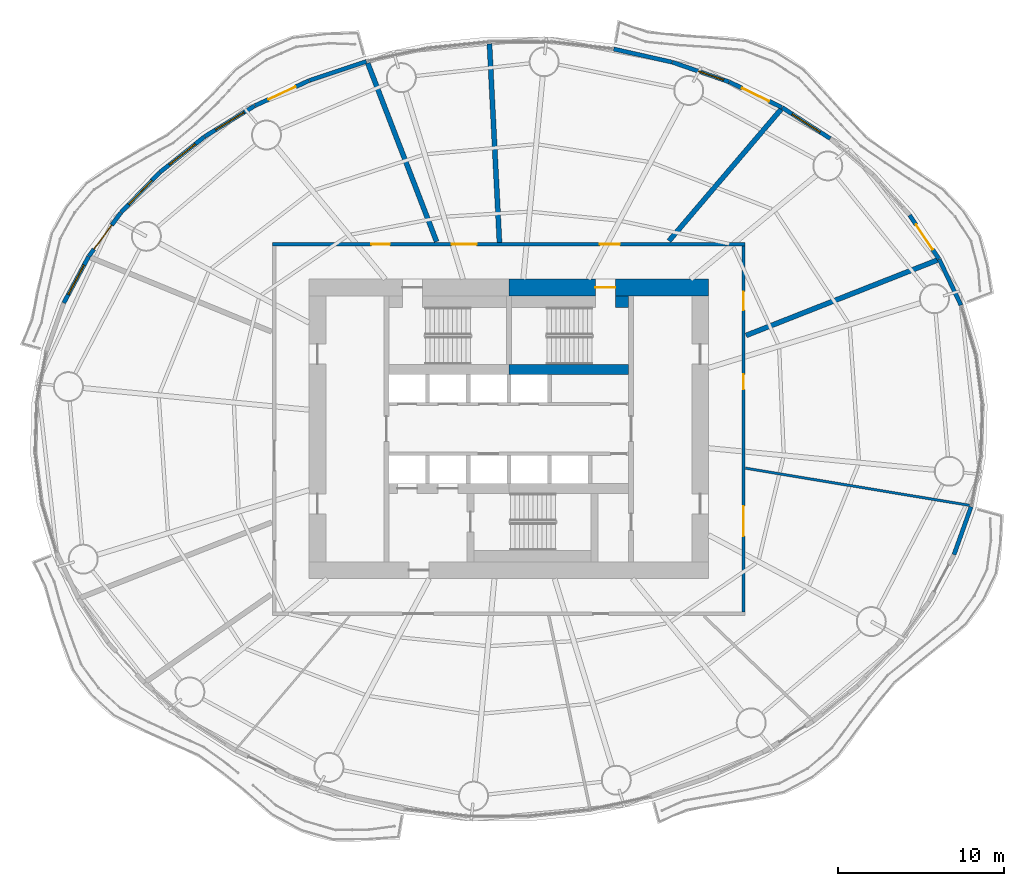
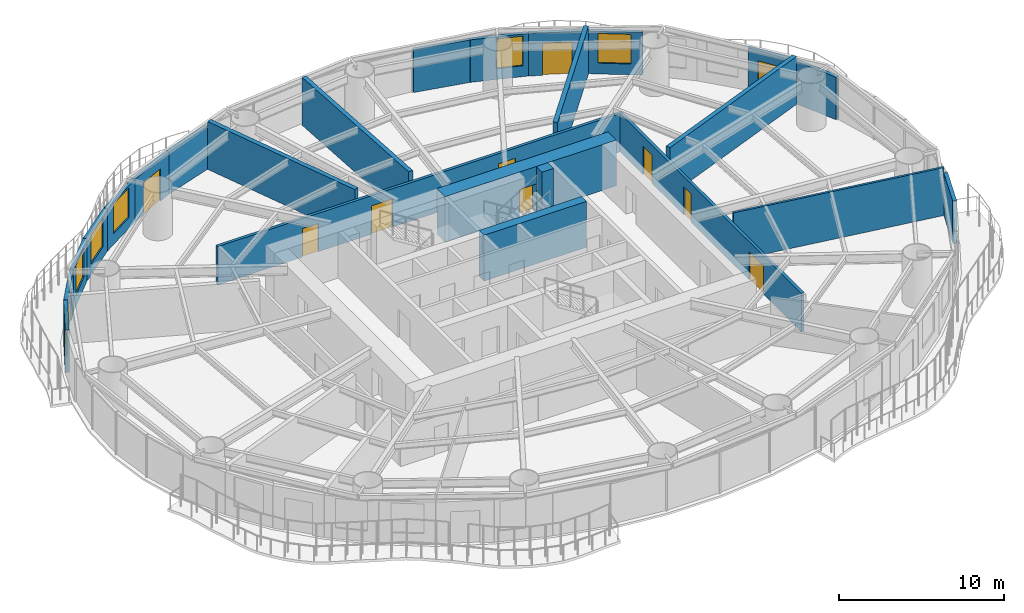
# One storey, part 10 of 16: 24 walls, 11 doors, 6 windows, 17 openings.
"""IFC4 building model written with IfcOpenShell, lengths in metres."""

from ifc_helpers import new_model, si_unit, direction, frame, frame_2d, origin, place, context, subcontext, project, spatial, rectangle, extrude, material, layer, layer_set, type_object, element, fill, save


model = new_model("IFC4")

# Units and contexts
model_context = context("Model", 3, precision=1e-05, world=origin(), true_north=direction((0.0, 1.0)))
body_context = subcontext(model_context, "Body", "Model", "MODEL_VIEW")
ifc_project = project(units=[si_unit("LENGTHUNIT", "METRE"), si_unit("AREAUNIT", "SQUARE_METRE"), si_unit("VOLUMEUNIT", "CUBIC_METRE"), si_unit("PLANEANGLEUNIT", "RADIAN"), si_unit("MASSUNIT", "GRAM", prefix="KILO")], contexts=[model_context])

# Site, building, storey
site_placement = place(None, origin())
site = spatial("IfcSite", under=ifc_project, at=site_placement, CompositionType="ELEMENT")
building_placement = place(site_placement, origin())
building = spatial("IfcBuilding", under=site, at=building_placement, Name="Vermilion Reach Broadcast Tower", CompositionType="ELEMENT")
storey_placement = place(building_placement, frame((0.0, 0.0, 47.10009765625)))
storey = spatial("IfcBuildingStorey", under=building, at=storey_placement, Name="L08", CompositionType="ELEMENT", Elevation=47.10009765625)

# Wall
ifc_material_1 = material(Name="Concrete C70", Category="concrete")
ifc_layer_1 = layer(ifc_material_1, 0.60009765625)
ifc_layer_set_1 = layer_set([ifc_layer_1], Name="Core inner wall 600 mm Concrete C70")
wall_type_1 = type_object("IfcWallType", Name="Core inner wall 600 mm Concrete C70", PredefinedType="SHEAR", material=ifc_layer_set_1)
wall_1_placement = place(storey_placement, frame((-6.0, 3.580078125, 0.0), z_axis=(0.0, 0.0, 1.0), x_axis=(1.0, 0.0, 0.0)))
element("IfcWall", 1, at=wall_1_placement, inside=storey, type_object=wall_type_1, Name="L08 core wall winE", PredefinedType="SHEAR", context=body_context, shape_type="SweptSolid", body=[
    extrude(rectangle(XDim=7.199951171875, YDim=0.60009765625, at=frame_2d((3.60009765625, 0.0))), origin(), (0.0, 0.0, 1.0), 3.39990234375),
])

# Wall, opening, door
ifc_material_2 = material(Name="Concrete C70", Category="concrete")
ifc_layer_2 = layer(ifc_material_2, 1.0)
ifc_layer_set_2 = layer_set([ifc_layer_2], Name="Core outer wall 1000 mm Concrete C70")
wall_type_2 = type_object("IfcWallType", Name="Core outer wall 1000 mm Concrete C70", PredefinedType="SHEAR", material=ifc_layer_set_2)
wall_2_placement = place(storey_placement, frame((6.0, 8.5, 0.0), z_axis=(0.0, 0.0, 1.0), x_axis=(-1.0, 0.0, 0.0)))
wall_2 = element("IfcWall", 2, at=wall_2_placement, inside=storey, type_object=wall_type_2, Name="L08 core wall onE", PredefinedType="SHEAR", context=body_context, shape_type="SweptSolid", body=[
    extrude(rectangle(XDim=12.0, YDim=1.0, at=frame_2d((6.0, 0.0))), origin(), (0.0, 0.0, 1.0), 3.39990234375),
])
opening_1_placement = place(wall_2_placement, frame((5.60009765625, 0.0, 0.0)))
opening_1 = element("IfcOpeningElement", 3, at=opening_1_placement, cuts=wall_2, Name="Opening D01", PredefinedType="OPENING", context=body_context, shape_type="SweptSolid", body=[
    extrude(rectangle(XDim=1.199951171875, YDim=2.10009765625, at=frame_2d((0.60009765625, 1.050048828125))), frame((0.0, 0.510009765625, 0.0), z_axis=(0.0, -1.0, 0.0), x_axis=(1.0, 0.0, 0.0)), (0.0, 0.0, 1.0), 1.02001953125),
])
ifc_material_3 = material(Name="Painted steel fire door", Category="steel")
door_type_1 = type_object("IfcDoorType", Name="Stair door 1200 x 2100", OperationType="DOUBLE_DOOR_SINGLE_SWING", PredefinedType="NOTDEFINED", material=ifc_material_3)
door_1_placement = place(opening_1_placement, origin())
door_1 = element("IfcDoor", 4, at=door_1_placement, inside=storey, type_object=door_type_1, Name="L08 stair door ST2", OperationType="DOUBLE_DOOR_SINGLE_SWING", OverallHeight=2.10009765625, OverallWidth=1.199951171875, PredefinedType="NOTDEFINED", context=body_context, shape_type="SweptSolid", body=[
    extrude(rectangle(XDim=1.199951171875, YDim=2.10009765625, at=frame_2d((0.60009765625, 1.050048828125))), frame((0.0, 0.02490234375, 0.0), z_axis=(0.0, -1.0, 0.0), x_axis=(1.0, 0.0, 0.0)), (0.0, 0.0, 1.0), 0.050048828125),
])
fill(opening_1, door_1)

# Walls
ifc_material_4 = material(Name="Concrete C70", Category="concrete")
ifc_layer_3 = layer(ifc_material_4, 0.699951171875)
ifc_layer_set_3 = layer_set([ifc_layer_3], Name="Core stair wall 700 mm Concrete C70")
wall_type_3 = type_object("IfcWallType", Name="Core stair wall 700 mm Concrete C70", PredefinedType="SHEAR", material=ifc_layer_set_3)
wall_3_placement = place(storey_placement, frame((0.39990234375, 7.64990234375, 0.0), z_axis=(0.0, 0.0, 1.0), x_axis=(1.0, 0.0, 0.0)))
element("IfcWall", 5, at=wall_3_placement, inside=storey, type_object=wall_type_3, Name="L08 core wall l2b", PredefinedType="SHEAR", context=body_context, shape_type="SweptSolid", body=[
    extrude(rectangle(XDim=0.800048828125, YDim=0.699951171875, at=frame_2d((0.39990234375, 0.0))), origin(), (0.0, 0.0, 1.0), 3.39990234375),
])
ifc_material_5 = material(Name="Lightweight concrete block, plastered", Category="concrete")
ifc_layer_4 = layer(ifc_material_5, 0.14990234375)
ifc_layer_set_4 = layer_set([ifc_layer_4], Name="Partition 150 lightweight block")
wall_type_4 = type_object("IfcWallType", Name="Partition 150 lightweight block", PredefinedType="PARTITIONING", material=ifc_layer_set_4)
wall_4_placement = place(storey_placement, frame((21.67529296875, -4.59033203125, 0.0), z_axis=(0.0, 0.0, 1.0), x_axis=(-0.986520789814, 0.163635971791, 0.0)))
element("IfcWall", 6, at=wall_4_placement, inside=storey, type_object=wall_type_4, Name="Partition 8.11", PredefinedType="PARTITIONING", context=body_context, shape_type="SweptSolid", body=[
    extrude(rectangle(XDim=13.64697265625, YDim=0.14990234375, at=frame_2d((6.823486328125, 0.0))), origin(), (0.0, 0.0, 1.0), 3.5498046875),
])
ifc_material_6 = material(Name="Double-leaf plasterboard on isolated steel stud", Category="steel")
ifc_layer_5 = layer(ifc_material_6, 0.300048828125)
ifc_layer_set_5 = layer_set([ifc_layer_5], Name="Partition 300 acoustic double leaf")
wall_type_5 = type_object("IfcWallType", Name="Partition 300 acoustic double leaf", PredefinedType="PARTITIONING", material=ifc_layer_set_5)
wall_5_placement = place(storey_placement, frame((19.74658203125, 10.144287109375, 0.0), z_axis=(0.0, 0.0, 1.0), x_axis=(-0.930393072446, -0.366563406172, 0.0)))
element("IfcWall", 7, at=wall_5_placement, inside=storey, type_object=wall_type_5, Name="Partition 8.01", PredefinedType="PARTITIONING", context=body_context, shape_type="SweptSolid", body=[
    extrude(rectangle(XDim=12.3515625, YDim=0.300048828125, at=frame_2d((6.17578125, 0.0))), origin(), (0.0, 0.0, 1.0), 3.5498046875),
])
wall_6_placement = place(storey_placement, frame((10.358642578125, 19.2060546875, 0.0), z_axis=(0.0, 0.0, 1.0), x_axis=(-0.648427112799, -0.76127674297, 0.0)))
element("IfcWall", 8, at=wall_6_placement, inside=storey, type_object=wall_type_5, Name="Partition 8.02", PredefinedType="PARTITIONING", context=body_context, shape_type="SweptSolid", body=[
    extrude(rectangle(XDim=10.388671875, YDim=0.300048828125, at=frame_2d((5.1943359375, 0.0))), origin(), (0.0, 0.0, 1.0), 3.5498046875),
])
wall_7_placement = place(storey_placement, frame((-7.164306640625, 23.1416015625, 0.0), z_axis=(0.0, 0.0, 1.0), x_axis=(0.050261666174, -0.998736083714, 0.0)))
element("IfcWall", 9, at=wall_7_placement, inside=storey, type_object=wall_type_5, Name="Partition 8.03", PredefinedType="PARTITIONING", context=body_context, shape_type="SweptSolid", body=[
    extrude(rectangle(XDim=11.94921875, YDim=0.300048828125, at=frame_2d((5.974609375, 0.0))), origin(), (0.0, 0.0, 1.0), 3.5498046875),
])
wall_8_placement = place(storey_placement, frame((-14.4765625, 21.978515625, 0.0), z_axis=(0.0, 0.0, 1.0), x_axis=(0.359841429266, -0.933013475671, 0.0)))
element("IfcWall", 10, at=wall_8_placement, inside=storey, type_object=wall_type_5, Name="Partition 8.04", PredefinedType="PARTITIONING", context=body_context, shape_type="SweptSolid", body=[
    extrude(rectangle(XDim=11.49462890625, YDim=0.300048828125, at=frame_2d((5.747314453125, 0.0))), origin(), (0.0, 0.0, 1.0), 3.5498046875),
])
ifc_material_7 = material(Name="Terracotta rainscreen cladding", Category="masonry")
ifc_layer_6 = layer(ifc_material_7, 0.25)
ifc_layer_set_6 = layer_set([ifc_layer_6], Name="Terracotta rainscreen wall 250")
wall_type_6 = type_object("IfcWallType", Name="Terracotta rainscreen wall 250", PredefinedType="SOLIDWALL", material=ifc_layer_set_6)
wall_9_placement = place(storey_placement, frame((21.16796875, 7.43896484375, 0.0), z_axis=(0.0, 0.0, 1.0), x_axis=(-0.428609341076, 0.903489918451, 0.0)))
element("IfcWall", 11, at=wall_9_placement, inside=storey, type_object=wall_type_6, Name="External wall L08 02", PredefinedType="SOLIDWALL", context=body_context, shape_type="SweptSolid", body=[
    extrude(rectangle(XDim=3.0498046875, YDim=0.25, at=frame_2d((1.52490234375, 0.0))), origin(), (0.0, 0.0, 1.0), 3.14990234375),
])

# Wall, opening, door
wall_10_placement = place(storey_placement, frame((19.84765625, 10.21728515625, 0.0), z_axis=(0.0, 0.0, 1.0), x_axis=(-0.558028768247, 0.829821603605, 0.0)))
wall_10 = element("IfcWall", 12, at=wall_10_placement, inside=storey, type_object=wall_type_6, Name="External wall L08 03", PredefinedType="SOLIDWALL", context=body_context, shape_type="SweptSolid", body=[
    extrude(rectangle(XDim=3.160888671875, YDim=0.25, at=frame_2d((1.58056640625, 0.0))), origin(), (0.0, 0.0, 1.0), 3.14990234375),
])
opening_2_placement = place(wall_10_placement, frame((0.679931640625, 0.0, 0.0)))
opening_2 = element("IfcOpeningElement", 13, at=opening_2_placement, cuts=wall_10, Name="Opening D70", PredefinedType="OPENING", context=body_context, shape_type="SweptSolid", body=[
    extrude(rectangle(XDim=1.800048828125, YDim=2.39990234375, at=frame_2d((0.89990234375, 1.199951171875))), frame((0.0, 0.135009765625, 0.0), z_axis=(0.0, -1.0, 0.0), x_axis=(1.0, 0.0, 0.0)), (0.0, 0.0, 1.0), 0.27001953125),
])
ifc_material_8 = material(Name="Low-e laminated clear glass in aluminium frame", Category="aluminium")
door_type_2 = type_object("IfcDoorType", Name="Balcony sliding door 1800 x 2400", OperationType="DOUBLE_DOOR_SLIDING", PredefinedType="DOOR", material=ifc_material_8)
door_2_placement = place(opening_2_placement, origin())
door_2 = element("IfcDoor", 14, at=door_2_placement, inside=storey, type_object=door_type_2, Name="Balcony door L08 run 01", OperationType="DOUBLE_DOOR_SLIDING", OverallHeight=2.39990234375, OverallWidth=1.800048828125, PredefinedType="DOOR", context=body_context, shape_type="SweptSolid", body=[
    extrude(rectangle(XDim=1.800048828125, YDim=2.39990234375, at=frame_2d((0.89990234375, 1.199951171875))), frame((0.0, 0.02490234375, 0.0), z_axis=(0.0, -1.0, 0.0), x_axis=(1.0, 0.0, 0.0)), (0.0, 0.0, 1.0), 0.050048828125),
])
fill(opening_2, door_2)

# Wall, opening, window
wall_11_placement = place(storey_placement, frame((13.30859375, 17.451904296875, 0.0), z_axis=(0.0, 0.0, 1.0), x_axis=(-0.840374130765, 0.54200675304, 0.0)))
wall_11 = element("IfcWall", 15, at=wall_11_placement, inside=storey, type_object=wall_type_6, Name="External wall L08 06", PredefinedType="SOLIDWALL", context=body_context, shape_type="SweptSolid", body=[
    extrude(rectangle(XDim=3.426025390625, YDim=0.25, at=frame_2d((1.712890625, 0.0))), origin(), (0.0, 0.0, 1.0), 3.14990234375),
])
opening_3_placement = place(wall_11_placement, frame((0.712890625, 0.0, 0.800048828125)))
opening_3 = element("IfcOpeningElement", 16, at=opening_3_placement, cuts=wall_11, Name="Opening W01", PredefinedType="OPENING", context=body_context, shape_type="SweptSolid", body=[
    extrude(rectangle(XDim=2.0, YDim=2.199951171875, at=frame_2d((1.0, 1.10009765625))), frame((0.0, 0.135009765625, 0.0), z_axis=(0.0, -1.0, 0.0), x_axis=(1.0, 0.0, 0.0)), (0.0, 0.0, 1.0), 0.27001953125),
])
ifc_material_9 = material(Name="Low-e laminated clear glass in aluminium frame", Category="aluminium")
window_type_1 = type_object("IfcWindowType", Name="Punched window 2000 x 2200 sill 800", PartitioningType="SINGLE_PANEL", PredefinedType="WINDOW", material=ifc_material_9)
window_1_placement = place(opening_3_placement, origin())
window_1 = element("IfcWindow", 17, at=window_1_placement, inside=storey, type_object=window_type_1, Name="Window L08 06", OverallHeight=2.199951171875, OverallWidth=2.0, PartitioningType="SINGLE_PANEL", PredefinedType="WINDOW", context=body_context, shape_type="SweptSolid", body=[
    extrude(rectangle(XDim=2.0, YDim=2.199951171875, at=frame_2d((1.0, 1.10009765625))), frame((0.0, 0.030029296875, 0.0), z_axis=(0.0, -1.0, 0.0), x_axis=(1.0, 0.0, 0.0)), (0.0, 0.0, 1.0), 0.06005859375),
])
fill(opening_3, window_1)

# Wall, opening, door
wall_12_placement = place(storey_placement, frame((10.4091796875, 19.3203125, 0.0), z_axis=(0.0, 0.0, 1.0), x_axis=(-0.900150457919, 0.435579100862, 0.0)))
wall_12 = element("IfcWall", 18, at=wall_12_placement, inside=storey, type_object=wall_type_6, Name="External wall L08 07", PredefinedType="SOLIDWALL", context=body_context, shape_type="SweptSolid", body=[
    extrude(rectangle(XDim=3.511474609375, YDim=0.25, at=frame_2d((1.755859375, 0.0))), origin(), (0.0, 0.0, 1.0), 3.14990234375),
])
opening_4_placement = place(wall_12_placement, frame((0.85595703125, 0.0, 0.0)))
opening_4 = element("IfcOpeningElement", 19, at=opening_4_placement, cuts=wall_12, Name="Opening D70", PredefinedType="OPENING", context=body_context, shape_type="SweptSolid", body=[
    extrude(rectangle(XDim=1.800048828125, YDim=2.39990234375, at=frame_2d((0.89990234375, 1.199951171875))), frame((0.0, 0.135009765625, 0.0), z_axis=(0.0, -1.0, 0.0), x_axis=(1.0, 0.0, 0.0)), (0.0, 0.0, 1.0), 0.27001953125),
])
door_3_placement = place(opening_4_placement, origin())
door_3 = element("IfcDoor", 20, at=door_3_placement, inside=storey, type_object=door_type_2, Name="Balcony door L08 run 02", OperationType="DOUBLE_DOOR_SLIDING", OverallHeight=2.39990234375, OverallWidth=1.800048828125, PredefinedType="DOOR", context=body_context, shape_type="SweptSolid", body=[
    extrude(rectangle(XDim=1.800048828125, YDim=2.39990234375, at=frame_2d((0.89990234375, 1.199951171875))), frame((0.0, 0.02490234375, 0.0), z_axis=(0.0, -1.0, 0.0), x_axis=(1.0, 0.0, 0.0)), (0.0, 0.0, 1.0), 0.050048828125),
])
fill(opening_4, door_3)

# Wall, opening, window
wall_13_placement = place(storey_placement, frame((7.227294921875, 20.8583984375, 0.0), z_axis=(0.0, 0.0, 1.0), x_axis=(-0.944816817468, 0.327599116956, 0.0)))
wall_13 = element("IfcWall", 21, at=wall_13_placement, inside=storey, type_object=wall_type_6, Name="External wall L08 08", PredefinedType="SOLIDWALL", context=body_context, shape_type="SweptSolid", body=[
    extrude(rectangle(XDim=3.5869140625, YDim=0.25, at=frame_2d((1.79345703125, 0.0))), origin(), (0.0, 0.0, 1.0), 3.14990234375),
])
opening_5_placement = place(wall_13_placement, frame((0.343017578125, 0.0, 0.800048828125)))
opening_5 = element("IfcOpeningElement", 22, at=opening_5_placement, cuts=wall_13, Name="Opening W02", PredefinedType="OPENING", context=body_context, shape_type="SweptSolid", body=[
    extrude(rectangle(XDim=1.60009765625, YDim=2.199951171875, at=frame_2d((0.800048828125, 1.10009765625))), frame((0.0, 0.135009765625, 0.0), z_axis=(0.0, -1.0, 0.0), x_axis=(1.0, 0.0, 0.0)), (0.0, 0.0, 1.0), 0.27001953125),
])
ifc_material_10 = material(Name="Low-e laminated clear glass in aluminium frame", Category="aluminium")
window_type_2 = type_object("IfcWindowType", Name="Punched window 1600 x 2200 sill 800", PartitioningType="SINGLE_PANEL", PredefinedType="WINDOW", material=ifc_material_10)
window_2_placement = place(opening_5_placement, origin())
window_2 = element("IfcWindow", 23, at=window_2_placement, inside=storey, type_object=window_type_2, Name="Window L08 08", OverallHeight=2.199951171875, OverallWidth=1.60009765625, PartitioningType="SINGLE_PANEL", PredefinedType="WINDOW", context=body_context, shape_type="SweptSolid", body=[
    extrude(rectangle(XDim=1.60009765625, YDim=2.199951171875, at=frame_2d((0.800048828125, 1.10009765625))), frame((0.0, 0.030029296875, 0.0), z_axis=(0.0, -1.0, 0.0), x_axis=(1.0, 0.0, 0.0)), (0.0, 0.0, 1.0), 0.06005859375),
])
fill(opening_5, window_2)

# Walls
wall_14_placement = place(storey_placement, frame((3.817138671875, 22.03955078125, 0.0), z_axis=(0.0, 0.0, 1.0), x_axis=(-0.975672486329, 0.21923320784, 0.0)))
element("IfcWall", 24, at=wall_14_placement, inside=storey, type_object=wall_type_6, Name="External wall L08 09", PredefinedType="SOLIDWALL", context=body_context, shape_type="SweptSolid", body=[
    extrude(rectangle(XDim=3.6025390625, YDim=0.25, at=frame_2d((1.80126953125, 0.0))), origin(), (0.0, 0.0, 1.0), 3.14990234375),
])
wall_15_placement = place(storey_placement, frame((-14.5615234375, 22.081787109375, 0.0), z_axis=(0.0, 0.0, 1.0), x_axis=(-0.948744266755, -0.316044801096, 0.0)))
element("IfcWall", 25, at=wall_15_placement, inside=storey, type_object=wall_type_6, Name="External wall L08 14", PredefinedType="SOLIDWALL", context=body_context, shape_type="SweptSolid", body=[
    extrude(rectangle(XDim=3.602783203125, YDim=0.25, at=frame_2d((1.80126953125, 0.0))), origin(), (0.0, 0.0, 1.0), 3.14990234375),
])

# Wall, opening, door
wall_16_placement = place(storey_placement, frame((-18.000244140625, 20.934814453125, 0.0), z_axis=(0.0, 0.0, 1.0), x_axis=(-0.90717882077, -0.420745275845, 0.0)))
wall_16 = element("IfcWall", 26, at=wall_16_placement, inside=storey, type_object=wall_type_6, Name="External wall L08 15", PredefinedType="SOLIDWALL", context=body_context, shape_type="SweptSolid", body=[
    extrude(rectangle(XDim=3.586669921875, YDim=0.25, at=frame_2d((1.79345703125, 0.0))), origin(), (0.0, 0.0, 1.0), 3.14990234375),
])
opening_6_placement = place(wall_16_placement, frame((0.89306640625, 0.0, 0.0)))
opening_6 = element("IfcOpeningElement", 27, at=opening_6_placement, cuts=wall_16, Name="Opening D70", PredefinedType="OPENING", context=body_context, shape_type="SweptSolid", body=[
    extrude(rectangle(XDim=1.800048828125, YDim=2.39990234375, at=frame_2d((0.89990234375, 1.199951171875))), frame((0.0, 0.135009765625, 0.0), z_axis=(0.0, -1.0, 0.0), x_axis=(1.0, 0.0, 0.0)), (0.0, 0.0, 1.0), 0.27001953125),
])
door_4_placement = place(opening_6_placement, origin())
door_4 = element("IfcDoor", 28, at=door_4_placement, inside=storey, type_object=door_type_2, Name="Balcony door L08 run 04", OperationType="DOUBLE_DOOR_SLIDING", OverallHeight=2.39990234375, OverallWidth=1.800048828125, PredefinedType="DOOR", context=body_context, shape_type="SweptSolid", body=[
    extrude(rectangle(XDim=1.800048828125, YDim=2.39990234375, at=frame_2d((0.89990234375, 1.199951171875))), frame((0.0, 0.02490234375, 0.0), z_axis=(0.0, -1.0, 0.0), x_axis=(1.0, 0.0, 0.0)), (0.0, 0.0, 1.0), 0.050048828125),
])
fill(opening_6, door_4)

# Wall, opening, window
wall_17_placement = place(storey_placement, frame((-21.27392578125, 19.4150390625, 0.0), z_axis=(0.0, 0.0, 1.0), x_axis=(-0.851885012521, -0.523728866344, 0.0)))
wall_17 = element("IfcWall", 29, at=wall_17_placement, inside=storey, type_object=wall_type_6, Name="External wall L08 16", PredefinedType="SOLIDWALL", context=body_context, shape_type="SweptSolid", body=[
    extrude(rectangle(XDim=3.511474609375, YDim=0.25, at=frame_2d((1.755859375, 0.0))), origin(), (0.0, 0.0, 1.0), 3.14990234375),
])
opening_7_placement = place(wall_17_placement, frame((0.755859375, 0.0, 0.800048828125)))
opening_7 = element("IfcOpeningElement", 30, at=opening_7_placement, cuts=wall_17, Name="Opening W01", PredefinedType="OPENING", context=body_context, shape_type="SweptSolid", body=[
    extrude(rectangle(XDim=2.0, YDim=2.199951171875, at=frame_2d((1.0, 1.10009765625))), frame((0.0, 0.135009765625, 0.0), z_axis=(0.0, -1.0, 0.0), x_axis=(1.0, 0.0, 0.0)), (0.0, 0.0, 1.0), 0.27001953125),
])
window_3_placement = place(opening_7_placement, origin())
window_3 = element("IfcWindow", 31, at=window_3_placement, inside=storey, type_object=window_type_1, Name="Window L08 16", OverallHeight=2.199951171875, OverallWidth=2.0, PartitioningType="SINGLE_PANEL", PredefinedType="WINDOW", context=body_context, shape_type="SweptSolid", body=[
    extrude(rectangle(XDim=2.0, YDim=2.199951171875, at=frame_2d((1.0, 1.10009765625))), frame((0.0, 0.030029296875, 0.0), z_axis=(0.0, -1.0, 0.0), x_axis=(1.0, 0.0, 0.0)), (0.0, 0.0, 1.0), 0.06005859375),
])
fill(opening_7, window_3)

wall_18_placement = place(storey_placement, frame((-24.284423828125, 17.5625, 0.0), z_axis=(0.0, 0.0, 1.0), x_axis=(-0.78173709479, -0.623608141888, 0.0)))
wall_18 = element("IfcWall", 32, at=wall_18_placement, inside=storey, type_object=wall_type_6, Name="External wall L08 17", PredefinedType="SOLIDWALL", context=body_context, shape_type="SweptSolid", body=[
    extrude(rectangle(XDim=3.426025390625, YDim=0.25, at=frame_2d((1.712890625, 0.0))), origin(), (0.0, 0.0, 1.0), 3.14990234375),
])
opening_8_placement = place(wall_18_placement, frame((0.712890625, 0.0, 0.800048828125)))
opening_8 = element("IfcOpeningElement", 33, at=opening_8_placement, cuts=wall_18, Name="Opening W01", PredefinedType="OPENING", context=body_context, shape_type="SweptSolid", body=[
    extrude(rectangle(XDim=2.0, YDim=2.199951171875, at=frame_2d((1.0, 1.10009765625))), frame((0.0, 0.135009765625, 0.0), z_axis=(0.0, -1.0, 0.0), x_axis=(1.0, 0.0, 0.0)), (0.0, 0.0, 1.0), 0.27001953125),
])
window_4_placement = place(opening_8_placement, origin())
window_4 = element("IfcWindow", 34, at=window_4_placement, inside=storey, type_object=window_type_1, Name="Window L08 17", OverallHeight=2.199951171875, OverallWidth=2.0, PartitioningType="SINGLE_PANEL", PredefinedType="WINDOW", context=body_context, shape_type="SweptSolid", body=[
    extrude(rectangle(XDim=2.0, YDim=2.199951171875, at=frame_2d((1.0, 1.10009765625))), frame((0.0, 0.030029296875, 0.0), z_axis=(0.0, -1.0, 0.0), x_axis=(1.0, 0.0, 0.0)), (0.0, 0.0, 1.0), 0.06005859375),
])
fill(opening_8, window_4)

wall_19_placement = place(storey_placement, frame((-26.98046875, 15.40966796875, 0.0), z_axis=(0.0, 0.0, 1.0), x_axis=(-0.695444598624, -0.718579717391, 0.0)))
wall_19 = element("IfcWall", 35, at=wall_19_placement, inside=storey, type_object=wall_type_6, Name="External wall L08 18", PredefinedType="SOLIDWALL", context=body_context, shape_type="SweptSolid", body=[
    extrude(rectangle(XDim=3.334716796875, YDim=0.25, at=frame_2d((1.66748046875, 0.0))), origin(), (0.0, 0.0, 1.0), 3.14990234375),
])
opening_9_placement = place(wall_19_placement, frame((0.66748046875, 0.0, 0.800048828125)))
opening_9 = element("IfcOpeningElement", 36, at=opening_9_placement, cuts=wall_19, Name="Opening W01", PredefinedType="OPENING", context=body_context, shape_type="SweptSolid", body=[
    extrude(rectangle(XDim=2.0, YDim=2.199951171875, at=frame_2d((1.0, 1.10009765625))), frame((0.0, 0.135009765625, 0.0), z_axis=(0.0, -1.0, 0.0), x_axis=(1.0, 0.0, 0.0)), (0.0, 0.0, 1.0), 0.27001953125),
])
window_5_placement = place(opening_9_placement, origin())
window_5 = element("IfcWindow", 37, at=window_5_placement, inside=storey, type_object=window_type_1, Name="Window L08 18", OverallHeight=2.199951171875, OverallWidth=2.0, PartitioningType="SINGLE_PANEL", PredefinedType="WINDOW", context=body_context, shape_type="SweptSolid", body=[
    extrude(rectangle(XDim=2.0, YDim=2.199951171875, at=frame_2d((1.0, 1.10009765625))), frame((0.0, 0.030029296875, 0.0), z_axis=(0.0, -1.0, 0.0), x_axis=(1.0, 0.0, 0.0)), (0.0, 0.0, 1.0), 0.06005859375),
])
fill(opening_9, window_5)

# Wall, opening, door
wall_20_placement = place(storey_placement, frame((-29.315673828125, 12.994384765625, 0.0), z_axis=(0.0, 0.0, 1.0), x_axis=(-0.592218050456, -0.805777748957, 0.0)))
wall_20 = element("IfcWall", 38, at=wall_20_placement, inside=storey, type_object=wall_type_6, Name="External wall L08 19", PredefinedType="SOLIDWALL", context=body_context, shape_type="SweptSolid", body=[
    extrude(rectangle(XDim=3.244384765625, YDim=0.25, at=frame_2d((1.6220703125, 0.0))), origin(), (0.0, 0.0, 1.0), 3.14990234375),
])
opening_10_placement = place(wall_20_placement, frame((0.922119140625, 0.0, 0.0)))
opening_10 = element("IfcOpeningElement", 39, at=opening_10_placement, cuts=wall_20, Name="Opening D70", PredefinedType="OPENING", context=body_context, shape_type="SweptSolid", body=[
    extrude(rectangle(XDim=1.800048828125, YDim=2.39990234375, at=frame_2d((0.89990234375, 1.199951171875))), frame((0.0, 0.135009765625, 0.0), z_axis=(0.0, -1.0, 0.0), x_axis=(1.0, 0.0, 0.0)), (0.0, 0.0, 1.0), 0.27001953125),
])
door_5_placement = place(opening_10_placement, origin())
door_5 = element("IfcDoor", 40, at=door_5_placement, inside=storey, type_object=door_type_2, Name="Balcony door L08 run 05", OperationType="DOUBLE_DOOR_SLIDING", OverallHeight=2.39990234375, OverallWidth=1.800048828125, PredefinedType="DOOR", context=body_context, shape_type="SweptSolid", body=[
    extrude(rectangle(XDim=1.800048828125, YDim=2.39990234375, at=frame_2d((0.89990234375, 1.199951171875))), frame((0.0, 0.02490234375, 0.0), z_axis=(0.0, -1.0, 0.0), x_axis=(1.0, 0.0, 0.0)), (0.0, 0.0, 1.0), 0.050048828125),
])
fill(opening_10, door_5)

# Wall, opening, window
wall_21_placement = place(storey_placement, frame((-31.250732421875, 10.3583984375, 0.0), z_axis=(0.0, 0.0, 1.0), x_axis=(-0.47194273939, -0.88162920252, 0.0)))
wall_21 = element("IfcWall", 41, at=wall_21_placement, inside=storey, type_object=wall_type_6, Name="External wall L08 20", PredefinedType="SOLIDWALL", context=body_context, shape_type="SweptSolid", body=[
    extrude(rectangle(XDim=3.16064453125, YDim=0.25, at=frame_2d((1.580322265625, 0.0))), origin(), (0.0, 0.0, 1.0), 3.14990234375),
])
opening_11_placement = place(wall_21_placement, frame((0.580322265625, 0.0, 0.800048828125)))
opening_11 = element("IfcOpeningElement", 42, at=opening_11_placement, cuts=wall_21, Name="Opening W01", PredefinedType="OPENING", context=body_context, shape_type="SweptSolid", body=[
    extrude(rectangle(XDim=2.0, YDim=2.199951171875, at=frame_2d((1.0, 1.10009765625))), frame((0.0, 0.135009765625, 0.0), z_axis=(0.0, -1.0, 0.0), x_axis=(1.0, 0.0, 0.0)), (0.0, 0.0, 1.0), 0.27001953125),
])
window_6_placement = place(opening_11_placement, origin())
window_6 = element("IfcWindow", 43, at=window_6_placement, inside=storey, type_object=window_type_1, Name="Window L08 20", OverallHeight=2.199951171875, OverallWidth=2.0, PartitioningType="SINGLE_PANEL", PredefinedType="WINDOW", context=body_context, shape_type="SweptSolid", body=[
    extrude(rectangle(XDim=2.0, YDim=2.199951171875, at=frame_2d((1.0, 1.10009765625))), frame((0.0, 0.030029296875, 0.0), z_axis=(0.0, -1.0, 0.0), x_axis=(1.0, 0.0, 0.0)), (0.0, 0.0, 1.0), 0.06005859375),
])
fill(opening_11, window_6)

# Wall
wall_22_placement = place(storey_placement, frame((20.75341796875, -7.54736328125, 0.0), z_axis=(0.0, 0.0, 1.0), x_axis=(0.335758185924, 0.941948215448, 0.0)))
element("IfcWall", 44, at=wall_22_placement, inside=storey, type_object=wall_type_6, Name="External wall L08 45", PredefinedType="SOLIDWALL", context=body_context, shape_type="SweptSolid", body=[
    extrude(rectangle(XDim=3.049560546875, YDim=0.25, at=frame_2d((1.52490234375, 0.0))), origin(), (0.0, 0.0, 1.0), 3.14990234375),
])

# Wall, openings, doors
ifc_material_11 = material(Name="Fire-rated gypsum board partition")
ifc_layer_7 = layer(ifc_material_11, 0.199951171875)
ifc_layer_set_7 = layer_set([ifc_layer_7], Name="Under girder: Corridor wall 200 fire-rated")
wall_type_7 = type_object("IfcWallType", Name="Under girder: Corridor wall 200 fire-rated", PredefinedType="PARTITIONING", material=ifc_layer_set_7)
wall_23_placement = place(storey_placement, frame((-20.199951171875, 11.10009765625, 0.0), z_axis=(0.0, 0.0, 1.0), x_axis=(1.0, 0.0, 0.0)))
wall_23 = element("IfcWall", 45, at=wall_23_placement, inside=storey, type_object=wall_type_7, Name="Corridor wall 8.N", PredefinedType="PARTITIONING", context=body_context, shape_type="SweptSolid", body=[
    extrude(rectangle(XDim=28.39990234375, YDim=0.199951171875, at=frame_2d((14.199951171875, 0.0))), origin(), (0.0, 0.0, 1.0), 2.849853515625),
])
opening_12_placement = place(wall_23_placement, frame((19.668701171875, 0.0, 0.0)))
opening_12 = element("IfcOpeningElement", 46, at=opening_12_placement, cuts=wall_23, Name="Opening D26", PredefinedType="OPENING", context=body_context, shape_type="SweptSolid", body=[
    extrude(rectangle(XDim=1.199951171875, YDim=2.10009765625, at=frame_2d((0.60009765625, 1.050048828125))), frame((0.0, 0.10986328125, 0.0), z_axis=(0.0, -1.0, 0.0), x_axis=(1.0, 0.0, 0.0)), (0.0, 0.0, 1.0), 0.219970703125),
])
opening_13_placement = place(wall_23_placement, frame((10.75732421875, 0.0, 0.0)))
opening_13 = element("IfcOpeningElement", 47, at=opening_13_placement, cuts=wall_23, Name="Opening D24", PredefinedType="OPENING", context=body_context, shape_type="SweptSolid", body=[
    extrude(rectangle(XDim=1.5, YDim=2.10009765625, at=frame_2d((0.75, 1.050048828125))), frame((0.0, 0.10986328125, 0.0), z_axis=(0.0, -1.0, 0.0), x_axis=(1.0, 0.0, 0.0)), (0.0, 0.0, 1.0), 0.219970703125),
])
opening_14_placement = place(wall_23_placement, frame((5.9462890625, 0.0, 0.0)))
opening_14 = element("IfcOpeningElement", 48, at=opening_14_placement, cuts=wall_23, Name="Opening D28", PredefinedType="OPENING", context=body_context, shape_type="SweptSolid", body=[
    extrude(rectangle(XDim=1.10009765625, YDim=2.10009765625, at=frame_2d((0.550048828125, 1.050048828125))), frame((0.0, 0.10986328125, 0.0), z_axis=(0.0, -1.0, 0.0), x_axis=(1.0, 0.0, 0.0)), (0.0, 0.0, 1.0), 0.219970703125),
])
ifc_material_12 = material(Name="Timber door leaf", Category="wood")
door_type_3 = type_object("IfcDoorType", Name="Door pair 1500x2100", OperationType="NOTDEFINED", PredefinedType="DOOR", material=ifc_material_12)
door_6_placement = place(opening_13_placement, origin())
door_6 = element("IfcDoor", 49, at=door_6_placement, inside=storey, type_object=door_type_3, Name="Door 8.03", OperationType="DOUBLE_DOOR_SINGLE_SWING", OverallHeight=2.10009765625, OverallWidth=1.5, PredefinedType="DOOR", context=body_context, shape_type="SweptSolid", body=[
    extrude(rectangle(XDim=1.5, YDim=2.10009765625, at=frame_2d((0.75, 1.050048828125))), frame((0.0, 0.02490234375, 0.0), z_axis=(0.0, -1.0, 0.0), x_axis=(1.0, 0.0, 0.0)), (0.0, 0.0, 1.0), 0.050048828125),
])
fill(opening_13, door_6)
ifc_material_13 = material(Name="Acoustic sound-lock door leaf")
door_type_4 = type_object("IfcDoorType", Name="Door single 1100x2100", OperationType="NOTDEFINED", PredefinedType="DOOR", material=ifc_material_13)
door_7_placement = place(opening_14_placement, origin())
door_7 = element("IfcDoor", 50, at=door_7_placement, inside=storey, type_object=door_type_4, Name="Door 8.04", OperationType="SINGLE_SWING_RIGHT", OverallHeight=2.10009765625, OverallWidth=1.10009765625, PredefinedType="DOOR", context=body_context, shape_type="SweptSolid", body=[
    extrude(rectangle(XDim=1.10009765625, YDim=2.10009765625, at=frame_2d((0.550048828125, 1.050048828125))), frame((0.0, 0.02490234375, 0.0), z_axis=(0.0, -1.0, 0.0), x_axis=(1.0, 0.0, 0.0)), (0.0, 0.0, 1.0), 0.050048828125),
])
fill(opening_14, door_7)
ifc_material_14 = material(Name="Acoustic timber door leaf", Category="wood")
door_type_5 = type_object("IfcDoorType", Name="Door single 1200x2100", OperationType="NOTDEFINED", PredefinedType="DOOR", material=ifc_material_14)
door_8_placement = place(opening_12_placement, origin())
door_8 = element("IfcDoor", 51, at=door_8_placement, inside=storey, type_object=door_type_5, Name="Door 8.02", OperationType="SINGLE_SWING_RIGHT", OverallHeight=2.10009765625, OverallWidth=1.199951171875, PredefinedType="DOOR", context=body_context, shape_type="SweptSolid", body=[
    extrude(rectangle(XDim=1.199951171875, YDim=2.10009765625, at=frame_2d((0.60009765625, 1.050048828125))), frame((0.0, 0.02490234375, 0.0), z_axis=(0.0, -1.0, 0.0), x_axis=(1.0, 0.0, 0.0)), (0.0, 0.0, 1.0), 0.050048828125),
])
fill(opening_12, door_8)

wall_24_placement = place(storey_placement, frame((8.10009765625, 11.0, 0.0), z_axis=(0.0, 0.0, 1.0), x_axis=(0.0, -1.0, 0.0)))
wall_24 = element("IfcWall", 52, at=wall_24_placement, inside=storey, type_object=wall_type_7, Name="Corridor wall 8.E", PredefinedType="PARTITIONING", context=body_context, shape_type="SweptSolid", body=[
    extrude(rectangle(XDim=22.0, YDim=0.199951171875, at=frame_2d((11.0, 0.0))), origin(), (0.0, 0.0, 1.0), 2.849853515625),
])
opening_15_placement = place(wall_24_placement, frame((2.75341796875, 0.0, 0.0)))
opening_15 = element("IfcOpeningElement", 53, at=opening_15_placement, cuts=wall_24, Name="Opening D28", PredefinedType="OPENING", context=body_context, shape_type="SweptSolid", body=[
    extrude(rectangle(XDim=1.10009765625, YDim=2.10009765625, at=frame_2d((0.550048828125, 1.050048828125))), frame((0.0, 0.10986328125, 0.0), z_axis=(0.0, -1.0, 0.0), x_axis=(1.0, 0.0, 0.0)), (0.0, 0.0, 1.0), 0.219970703125),
])
opening_16_placement = place(wall_24_placement, frame((15.638671875, 0.0, 0.0)))
opening_16 = element("IfcOpeningElement", 54, at=opening_16_placement, cuts=wall_24, Name="Opening D21", PredefinedType="OPENING", context=body_context, shape_type="SweptSolid", body=[
    extrude(rectangle(XDim=1.800048828125, YDim=2.10009765625, at=frame_2d((0.89990234375, 1.050048828125))), frame((0.0, 0.10986328125, 0.0), z_axis=(0.0, -1.0, 0.0), x_axis=(1.0, 0.0, 0.0)), (0.0, 0.0, 1.0), 0.219970703125),
])
opening_17_placement = place(wall_24_placement, frame((7.719970703125, 0.0, 0.0)))
opening_17 = element("IfcOpeningElement", 55, at=opening_17_placement, cuts=wall_24, Name="Opening D22", PredefinedType="OPENING", context=body_context, shape_type="SweptSolid", body=[
    extrude(rectangle(XDim=0.89990234375, YDim=2.10009765625, at=frame_2d((0.449951171875, 1.050048828125))), frame((0.0, 0.10986328125, 0.0), z_axis=(0.0, -1.0, 0.0), x_axis=(1.0, 0.0, 0.0)), (0.0, 0.0, 1.0), 0.219970703125),
])
ifc_material_15 = material(Name="Timber door leaf", Category="wood")
door_type_6 = type_object("IfcDoorType", Name="Door pair 1800x2100", OperationType="NOTDEFINED", PredefinedType="DOOR", material=ifc_material_15)
door_9_placement = place(opening_16_placement, origin())
door_9 = element("IfcDoor", 56, at=door_9_placement, inside=storey, type_object=door_type_6, Name="Door 8.10", OperationType="DOUBLE_DOOR_SINGLE_SWING", OverallHeight=2.10009765625, OverallWidth=1.800048828125, PredefinedType="DOOR", context=body_context, shape_type="SweptSolid", body=[
    extrude(rectangle(XDim=1.800048828125, YDim=2.10009765625, at=frame_2d((0.89990234375, 1.050048828125))), frame((0.0, 0.02490234375, 0.0), z_axis=(0.0, -1.0, 0.0), x_axis=(1.0, 0.0, 0.0)), (0.0, 0.0, 1.0), 0.050048828125),
])
fill(opening_16, door_9)
door_10_placement = place(opening_15_placement, origin())
door_10 = element("IfcDoor", 57, at=door_10_placement, inside=storey, type_object=door_type_4, Name="Door 8.01", OperationType="SINGLE_SWING_RIGHT", OverallHeight=2.10009765625, OverallWidth=1.10009765625, PredefinedType="DOOR", context=body_context, shape_type="SweptSolid", body=[
    extrude(rectangle(XDim=1.10009765625, YDim=2.10009765625, at=frame_2d((0.550048828125, 1.050048828125))), frame((0.0, 0.02490234375, 0.0), z_axis=(0.0, -1.0, 0.0), x_axis=(1.0, 0.0, 0.0)), (0.0, 0.0, 1.0), 0.050048828125),
])
fill(opening_15, door_10)
ifc_material_16 = material(Name="Timber door leaf", Category="wood")
door_type_7 = type_object("IfcDoorType", Name="Door single 900x2100", OperationType="NOTDEFINED", PredefinedType="DOOR", material=ifc_material_16)
door_11_placement = place(opening_17_placement, origin())
door_11 = element("IfcDoor", 58, at=door_11_placement, inside=storey, type_object=door_type_7, Name="Door 8.11", OperationType="SINGLE_SWING_LEFT", OverallHeight=2.10009765625, OverallWidth=0.89990234375, PredefinedType="DOOR", context=body_context, shape_type="SweptSolid", body=[
    extrude(rectangle(XDim=0.89990234375, YDim=2.10009765625, at=frame_2d((0.449951171875, 1.050048828125))), frame((0.0, 0.02490234375, 0.0), z_axis=(0.0, -1.0, 0.0), x_axis=(1.0, 0.0, 0.0)), (0.0, 0.0, 1.0), 0.050048828125),
])
fill(opening_17, door_11)

save(model, "model.ifc")
